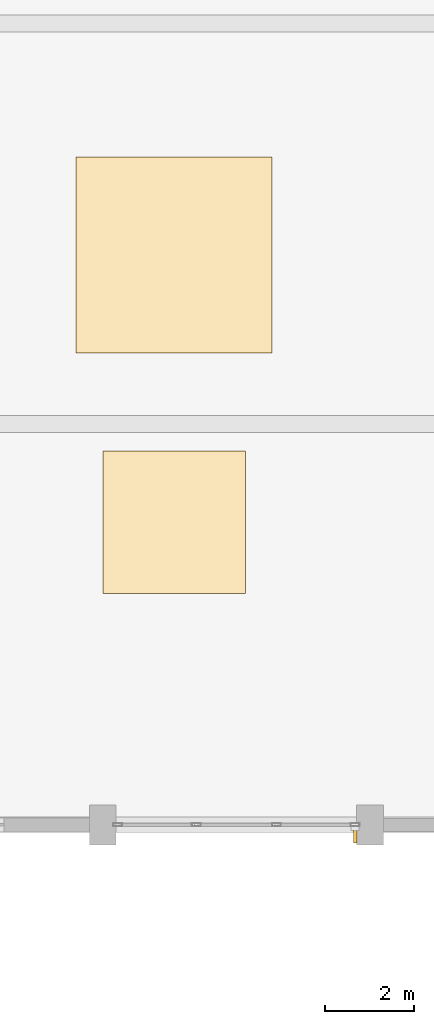
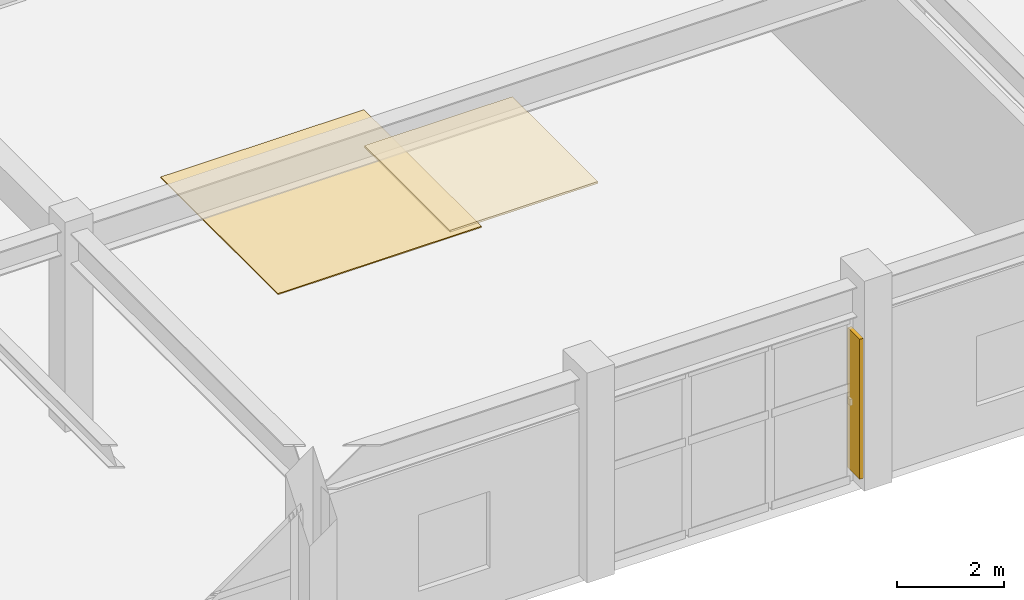
# One storey, part 73 of 85: 2 coverings, 1 shading device.
"""IFC4 building model written with IfcOpenShell, lengths in metres."""

import ifcopenshell
import ifcopenshell.guid

model = None  # the IFC model being written
_history = None  # IfcOwnerHistory: only IFC2X3 demands one
_inside = {}  # id of a spatial element -> (the spatial element, [elements in it])
_under = {}  # id of a project, library or spatial element -> (it, [spatial elements below it])
_declared = {}  # id of a project -> (the project, [libraries it declares])
_typed = {}  # id of a type object -> (the type object, [elements of that type])
_made_of = {}  # id of a material, layer set ... -> (it, [elements and type objects made of it])


def new_model(schema):
    """Start an empty IFC model of exactly this schema.

    Asked for "IFC4X3", IfcOpenShell would pick the latest addendum, in which some entities
    have other attributes; the version numbers below select the first issue.
    IFC2X3 requires an IfcOwnerHistory on every rooted entity: one is made here for all.
    """
    global model, _history
    if schema == "IFC4X3":
        model = ifcopenshell.file(schema_version=(4, 3, 0, 0))
    else:
        model = ifcopenshell.file(schema=schema)
    _inside.clear()
    _under.clear()
    _declared.clear()
    _typed.clear()
    _made_of.clear()
    _history = None
    if model.schema == "IFC2X3":
        org = make("IfcOrganization", Name="unknown")
        user = make(
            "IfcPersonAndOrganization",
            ThePerson=make("IfcPerson", FamilyName="unknown"),
            TheOrganization=org,
        )
        app = make(
            "IfcApplication",
            ApplicationDeveloper=org,
            Version="unknown",
            ApplicationFullName="unknown",
            ApplicationIdentifier="unknown",
        )
        _history = make(
            "IfcOwnerHistory",
            OwningUser=user,
            OwningApplication=app,
            ChangeAction="ADDED",
            CreationDate=0,
        )
    return model


def make(cls, **values):
    """One entity of the class cls with the attributes given. An attribute that is None is left unset."""
    return model.create_entity(
        cls, **{name: value for name, value in values.items() if value is not None}
    )


def rooted(cls, **values):
    """An entity with a GlobalId (a new one), such as an element, a storey or a relation."""
    return make(cls, GlobalId=ifcopenshell.guid.new(), OwnerHistory=_history, **values)


def si_unit(unit_type, name, prefix=None):
    """IfcSIUnit, for example si_unit("LENGTHUNIT", "METRE", prefix="MILLI")."""
    return make("IfcSIUnit", UnitType=unit_type, Prefix=prefix, Name=name)


def assignment(units):
    """IfcUnitAssignment: the units of a project."""
    return None if units is None else make("IfcUnitAssignment", Units=units)


def point(xyz):
    """IfcCartesianPoint."""
    return None if xyz is None else make("IfcCartesianPoint", Coordinates=xyz)


def direction(xyz):
    """IfcDirection."""
    return None if xyz is None else make("IfcDirection", DirectionRatios=xyz)


def frame(location, z_axis=None, x_axis=None):
    """IfcAxis2Placement3D, a coordinate frame: its origin and axes. An axis left out is left unset."""
    return make(
        "IfcAxis2Placement3D",
        Location=point(location),
        Axis=direction(z_axis),
        RefDirection=direction(x_axis),
    )


def frame_2d(location, x_axis=None):
    """IfcAxis2Placement2D, a coordinate frame in the plane: its origin and x axis."""
    return make(
        "IfcAxis2Placement2D", Location=point(location), RefDirection=direction(x_axis)
    )


def origin():
    """The frame at (0, 0, 0) with its axes left unset."""
    return frame((0.0, 0.0, 0.0))


def origin_2d():
    """The frame at (0, 0) in the plane with its x axis left unset."""
    return frame_2d((0.0, 0.0))


def place(relative_to, where):
    """IfcLocalPlacement: puts the frame where relative to a parent placement (None: the world)."""
    return make(
        "IfcLocalPlacement", PlacementRelTo=relative_to, RelativePlacement=where
    )


def context(
    kind, dimensions, precision=None, world=None, true_north=None, identifier=None
):
    """IfcGeometricRepresentationContext, for example the 3D "Model" context."""
    return make(
        "IfcGeometricRepresentationContext",
        ContextIdentifier=identifier,
        ContextType=kind,
        CoordinateSpaceDimension=dimensions,
        Precision=precision,
        WorldCoordinateSystem=world,
        TrueNorth=true_north,
    )


def subcontext(parent, identifier, kind, view, scale=None):
    """IfcGeometricRepresentationSubContext, for example "Body" below "Model"."""
    return make(
        "IfcGeometricRepresentationSubContext",
        ContextIdentifier=identifier,
        ContextType=kind,
        ParentContext=parent,
        TargetScale=scale,
        TargetView=view,
    )


def project(units=None, contexts=None):
    """IfcProject with its units and contexts."""
    return rooted(
        "IfcProject",
        Name="project",
        RepresentationContexts=contexts,
        UnitsInContext=assignment(units),
    )


def spatial(cls, under=None, at=None, **own):
    """A site, building, storey or space (cls), placed at a placement, below another one or the project."""
    s = rooted(cls, ObjectPlacement=at, **own)
    if under is not None:
        _under.setdefault(under.id(), (under, []))[1].append(s)
    return s


def polyline(points):
    """IfcPolyline through the points."""
    return make("IfcPolyline", Points=[point(p) for p in points])


def profile(cls, at=None, kind="AREA", **sizes):
    """A parametric profile (cls). Its sizes go by their IFC names, for example OverallWidth=200.0."""
    return make(cls, ProfileType=kind, Position=at, **sizes)


def rectangle(**sizes):
    """IfcRectangleProfileDef."""
    return profile("IfcRectangleProfileDef", **sizes)


def outline(outer, holes=None, kind="AREA"):
    """IfcArbitraryClosedProfileDef: a profile drawn as a closed curve; with holes, ...WithVoids."""
    if holes is None:
        return make("IfcArbitraryClosedProfileDef", ProfileType=kind, OuterCurve=outer)
    return make(
        "IfcArbitraryProfileDefWithVoids",
        ProfileType=kind,
        OuterCurve=outer,
        InnerCurves=holes,
    )


def extrude(swept, where, along, depth):
    """IfcExtrudedAreaSolid: the profile swept, set in the frame where, extruded along a direction by depth."""
    return make(
        "IfcExtrudedAreaSolid",
        SweptArea=swept,
        Position=where,
        ExtrudedDirection=direction(along),
        Depth=depth,
    )


def shape(context_of_items, identifier, shape_type, items):
    """IfcShapeRepresentation: the items that make up one representation, for example the "Body"."""
    return make(
        "IfcShapeRepresentation",
        ContextOfItems=context_of_items,
        RepresentationIdentifier=identifier,
        RepresentationType=shape_type,
        Items=items,
    )


def material(Name=None, Category=None):
    """IfcMaterial."""
    return make("IfcMaterial", Name=Name, Category=Category)


def layer(
    of_material, thickness, ventilated=None, Name=None, Category=None, Priority=None
):
    """IfcMaterialLayer: one layer of a wall or slab, of a material (None: an air gap)."""
    return make(
        "IfcMaterialLayer",
        Material=of_material,
        LayerThickness=thickness,
        IsVentilated=ventilated,
        Name=Name,
        Category=Category,
        Priority=Priority,
    )


def layer_set(layers, Name=None):
    """IfcMaterialLayerSet."""
    return make("IfcMaterialLayerSet", MaterialLayers=layers, LayerSetName=Name)


def made_of(thing, what):
    """Note that an element or type object is made of a material, layer set ...; save() writes the relation."""
    if what is not None:
        _made_of.setdefault(what.id(), (what, []))[1].append(thing)
    return thing


def type_object(cls, material=None, **own):
    """A type object (cls), such as IfcWallType, which elements share."""
    return made_of(rooted(cls, **own), material)


def element(
    cls,
    number,
    at=None,
    inside=None,
    cuts=None,
    type_object=None,
    material=None,
    context=None,
    identifier="Body",
    shape_type=None,
    held_by="IfcProductDefinitionShape",
    body=None,
    shapes=None,
    **own,
):
    """One element of the class cls, such as IfcWall. Its Tag is "e" and its number.

    at: its placement. inside: the storey or other place that contains it. cuts: it is an
    opening in that element (IfcRelVoidsElement). A single representation is given by context,
    identifier, shape_type and body (its items); several are given by shapes. held_by: the class
    of the entity that holds the representations. save() writes the other relations.
    """
    e = rooted(cls, Tag="e%d" % number, ObjectPlacement=at, **own)
    if body is not None:
        shapes = [shape(context, identifier, shape_type, body)]
    if shapes is not None:
        e.Representation = make(held_by, Representations=shapes)
    if inside is not None:
        _inside.setdefault(inside.id(), (inside, []))[1].append(e)
    if cuts is not None:
        rooted(
            "IfcRelVoidsElement", RelatingBuildingElement=cuts, RelatedOpeningElement=e
        )
    if type_object is not None:
        _typed.setdefault(type_object.id(), (type_object, []))[1].append(e)
    return made_of(e, material)


def aggregate(whole, parts):
    """IfcRelAggregates: a whole, such as a stair, and the parts it consists of."""
    return rooted("IfcRelAggregates", RelatingObject=whole, RelatedObjects=parts)


def save(model, path):
    """Write the relations noted so far, then the file.

    IfcRelAggregates (storeys below a building ...), IfcRelContainedInSpatialStructure (elements
    in a storey), IfcRelDefinesByType, IfcRelAssociatesMaterial and IfcRelDeclares: one each for
    every whole, place, type object, material and project.
    """
    for whole, parts in _under.values():
        aggregate(whole, parts)
    for where, things in _inside.values():
        rooted(
            "IfcRelContainedInSpatialStructure",
            RelatedElements=things,
            RelatingStructure=where,
        )
    for kind, things in _typed.values():
        rooted("IfcRelDefinesByType", RelatedObjects=things, RelatingType=kind)
    for what, things in _made_of.values():
        rooted("IfcRelAssociatesMaterial", RelatedObjects=things, RelatingMaterial=what)
    for by, libraries in _declared.values():
        rooted("IfcRelDeclares", RelatingContext=by, RelatedDefinitions=libraries)
    model.write(path)


model = new_model("IFC4")

# Units and contexts
model_context = context("Model", 3, precision=1e-05, world=origin(), true_north=direction((0.0, 1.0)))
body_context = subcontext(model_context, "Body", "Model", "MODEL_VIEW")
ifc_project = project(units=[si_unit("LENGTHUNIT", "METRE"), si_unit("AREAUNIT", "SQUARE_METRE"), si_unit("VOLUMEUNIT", "CUBIC_METRE"), si_unit("PLANEANGLEUNIT", "RADIAN"), si_unit("MASSUNIT", "GRAM", prefix="KILO")], contexts=[model_context])

# Site, building, storey
site_placement = place(None, origin())
site = spatial("IfcSite", under=ifc_project, at=site_placement, CompositionType="ELEMENT")
building_placement = place(site_placement, origin())
building = spatial("IfcBuilding", under=site, at=building_placement, Name="Vaelkrest Opera House", CompositionType="ELEMENT")
storey_placement = place(building_placement, frame((0.0, 0.0, 10.199951171875)))
storey = spatial("IfcBuildingStorey", under=building, at=storey_placement, Name="L02", CompositionType="ELEMENT", Elevation=10.199951171875)

# Coverings
ifc_material_1 = material(Name="American black walnut acoustic timber", Category="wood")
ifc_layer_1 = layer(ifc_material_1, 0.044921875)
ifc_layer_set_1 = layer_set([ifc_layer_1], Name="American black walnut acoustic timber")
covering_type_1 = type_object("IfcCoveringType", Name="COV-CLG01", PredefinedType="CEILING", material=ifc_layer_set_1)
covering_1_placement = place(storey_placement, frame((0.0, 0.0, 4.489990234375)))
element("IfcCovering", 1, at=covering_1_placement, inside=storey, type_object=covering_type_1, Name="Acoustic walnut ceiling reflector 07", PredefinedType="CEILING", context=body_context, shape_type="SweptSolid", body=[
    extrude(outline(polyline([(-63.60009765625, -11.60009765625), (-60.39990234375, -11.60009765625), (-60.39990234375, -8.39990234375), (-63.60009765625, -8.39990234375), (-63.60009765625, -11.60009765625)])), origin(), (0.0, 0.0, 1.0), 0.045166015625),
])
ifc_material_2 = material(Name="Douglas fir glulam GL28h", Category="wood")
ifc_layer_2 = layer(ifc_material_2, 0.02490234375)
ifc_layer_set_2 = layer_set([ifc_layer_2], Name="Douglas fir glulam GL28h")
covering_type_2 = type_object("IfcCoveringType", Name="COV-FLR01", PredefinedType="FLOORING", material=ifc_layer_set_2)
covering_2_placement = place(storey_placement, origin())
element("IfcCovering", 2, at=covering_2_placement, inside=storey, type_object=covering_type_2, Name="Sprung Douglas fir stage flooring 07", PredefinedType="FLOORING", context=body_context, shape_type="SweptSolid", body=[
    extrude(outline(polyline([(-64.199951171875, -6.199951171875), (-59.800048828125, -6.199951171875), (-59.800048828125, -1.800048828125), (-64.199951171875, -1.800048828125), (-64.199951171875, -6.199951171875)])), origin(), (0.0, 0.0, 1.0), 0.025146484375),
])

# Shading device
ifc_material_3 = material(Name="Dark bronze anodized aluminium", Category="aluminium")
shading_device_type = type_object("IfcShadingDeviceType", Name="FIN01", PredefinedType="USERDEFINED", material=ifc_material_3)
shading_device_placement = place(storey_placement, frame((-57.93310546875, -16.97998046875, 0.27197265625), z_axis=(0.0, 0.0, 1.0), x_axis=(0.0, -1.0, 0.0)))
element("IfcShadingDevice", 3, at=shading_device_placement, inside=storey, type_object=shading_device_type, Name="Bronze vertical facade fin 13", ObjectType="FIN", PredefinedType="USERDEFINED", context=body_context, shape_type="SweptSolid", body=[
    extrude(rectangle(XDim=0.449951171875, YDim=0.080078125, at=origin_2d()), origin(), (0.0, 0.0, 1.0), 3.199951171875),
])

save(model, "model.ifc")
